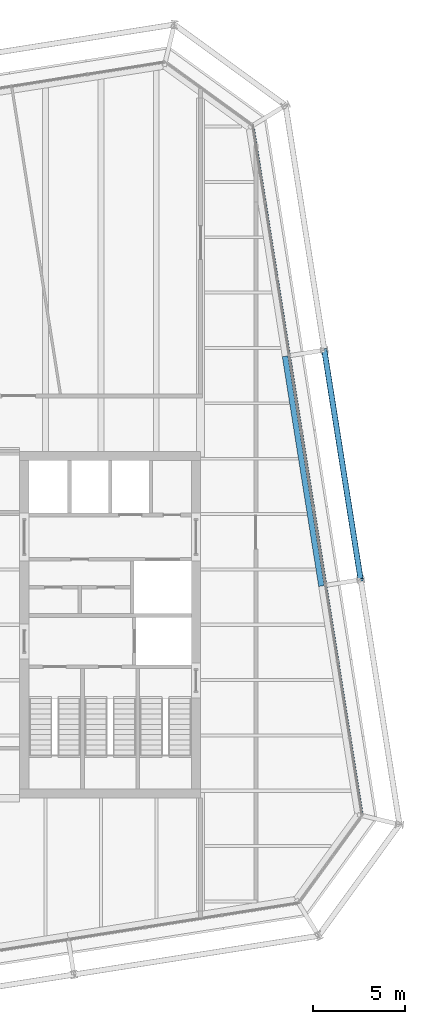
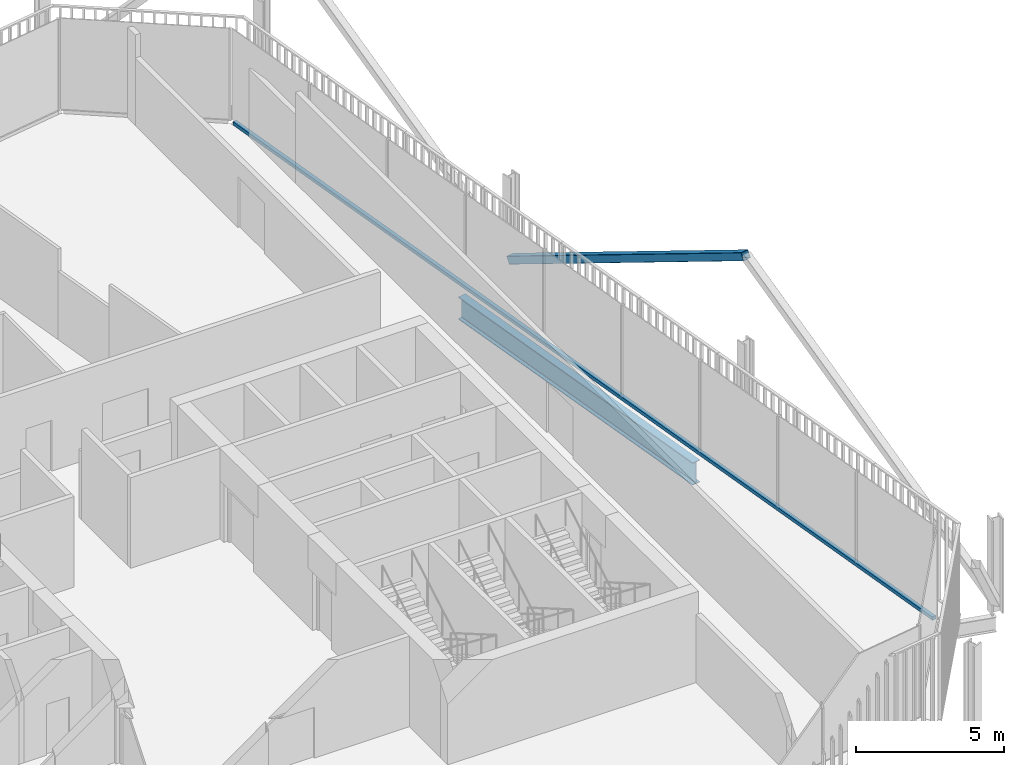
# One storey, part 10 of 21: 2 members, 1 beam, 1 element without a shape of its own.
"""IFC4 building model written with IfcOpenShell, lengths in metres."""

from ifc_helpers import new_model, si_unit, direction, frame, origin, origin_2d, place, context, subcontext, project, spatial, rectangle, hollow_rectangle, i_section, extrude, material, layer, layer_set, material_profile, profile_set, type_object, element, aggregate, save


model = new_model("IFC4")

# Units and contexts
model_context = context("Model", 3, precision=1e-05, world=origin(), true_north=direction((0.0, 1.0)))
body_context = subcontext(model_context, "Body", "Model", "MODEL_VIEW")
ifc_project = project(units=[si_unit("LENGTHUNIT", "METRE"), si_unit("AREAUNIT", "SQUARE_METRE"), si_unit("VOLUMEUNIT", "CUBIC_METRE"), si_unit("PLANEANGLEUNIT", "RADIAN"), si_unit("MASSUNIT", "GRAM", prefix="KILO")], contexts=[model_context])

# Site, building, storey
site_placement = place(None, origin())
site = spatial("IfcSite", under=ifc_project, at=site_placement, CompositionType="ELEMENT")
building_placement = place(site_placement, origin())
building = spatial("IfcBuilding", under=site, at=building_placement, Name="Millrace Tower", CompositionType="ELEMENT")
storey_placement = place(building_placement, frame((0.0, 0.0, 212.5)))
storey = spatial("IfcBuildingStorey", under=building, at=storey_placement, Name="L48", CompositionType="ELEMENT", Elevation=212.5)

# Curtain wall, member
ifc_material_1 = material(Name="Aluminium and glass", Category="aluminium")
ifc_layer = layer(ifc_material_1, 0.14990234375)
ifc_layer_set = layer_set([ifc_layer], Name="Aluminium and glass")
curtain_wall_type = type_object("IfcCurtainWallType", Name="CW-1 office vision curtain wall", PredefinedType="NOTDEFINED", material=ifc_layer_set)
curtain_wall_placement = place(storey_placement, origin())
curtain_wall = element("IfcCurtainWall", 1, at=curtain_wall_placement, inside=storey, type_object=curtain_wall_type, Name="Curtain wall D-F04 L48", PredefinedType="NOTDEFINED")
ifc_material_2 = material(Name="Aluminium", Category="aluminium")
ifc_material_profile_1 = material_profile(ifc_material_2, rectangle(XDim=0.14990234375, YDim=0.139892578125, at=origin_2d()))
ifc_profile_set_1 = profile_set([ifc_material_profile_1], Name="Aluminium")
member_type_1 = type_object("IfcMemberType", Name="CW-1 office vision curtain wall transom", PredefinedType="USERDEFINED", material=ifc_profile_set_1)
member_1_placement = place(storey_placement, frame((23.1318359375, -10.208740234375, 0.070068359375), z_axis=(-0.156432359726, 0.987688674042, 0.0), x_axis=(-0.987688674042, -0.156432359726, 0.0)))
member_1 = element("IfcMember", 2, at=member_1_placement, type_object=member_type_1, Name="CW1 transom D-F04.1", ObjectType="TRANSOM", PredefinedType="USERDEFINED", context=body_context, shape_type="SweptSolid", body=[
    extrude(rectangle(XDim=0.14990234375, YDim=0.139892578125, at=origin_2d()), origin(), (0.0, 0.0, 1.0), 37.599853515625),
])
aggregate(curtain_wall, [member_1])

# Member
ifc_material_3 = material(Name="Steel ASTM A500 Grade C", Category="steel")
ifc_material_profile_2 = material_profile(ifc_material_3, hollow_rectangle(XDim=0.3046875, YDim=0.3046875, WallThickness=0.0126953125, InnerFilletRadius=0.00634765625, OuterFilletRadius=0.01904296875, at=origin_2d()))
ifc_profile_set_2 = profile_set([ifc_material_profile_2], Name="Steel ASTM A500 Grade C")
member_type_2 = type_object("IfcMemberType", Name="Exoskeleton brace HSS12x12x1/2", PredefinedType="BRACE", material=ifc_profile_set_2)
member_2_placement = place(storey_placement, frame((21.106689453125, 14.88330078125, 0.39990234375), z_axis=(0.136740080373, -0.863395126588, 0.485644937998), x_axis=(0.987689802912, 0.156425232058, 0.0)))
element("IfcMember", 3, at=member_2_placement, inside=storey, type_object=member_type_2, Name="BRC-D-L48-07", PredefinedType="BRACE", context=body_context, shape_type="SweptSolid", body=[
    extrude(hollow_rectangle(XDim=0.3046875, YDim=0.3046875, WallThickness=0.0126953125, InnerFilletRadius=0.00634765625, OuterFilletRadius=0.01904296875, at=origin_2d()), origin(), (0.0, 0.0, 1.0), 14.413818359375),
])

# Beam
ifc_material_4 = material(Name="Steel ASTM A992 Grade 50", Category="steel")
ifc_material_profile_3 = material_profile(ifc_material_4, i_section(OverallWidth=0.307373046875, OverallDepth=0.927001953125, WebThickness=0.01953125, FlangeThickness=0.031982421875, FilletRadius=0.01904296875, at=origin_2d()))
ifc_profile_set_3 = profile_set([ifc_material_profile_3], Name="Steel ASTM A992 Grade 50")
beam_type = type_object("IfcBeamType", Name="Ring beam medium span W36x194", PredefinedType="SPANDREL", material=ifc_profile_set_3)
beam_placement = place(storey_placement, frame((18.9794921875, 14.54638671875, -0.62353515625), z_axis=(0.1564441342, -0.987686809102, 0.0), x_axis=(0.987686809102, 0.1564441342, 0.0)))
element("IfcBeam", 4, at=beam_placement, inside=storey, type_object=beam_type, Name="RNG-D-L48-S1-10", PredefinedType="SPANDREL", context=body_context, shape_type="SweptSolid", body=[
    extrude(i_section(OverallWidth=0.307373046875, OverallDepth=0.927001953125, WebThickness=0.01953125, FlangeThickness=0.031982421875, FilletRadius=0.01904296875, at=origin_2d()), origin(), (0.0, 0.0, 1.0), 12.599853515625),
])

save(model, "model.ifc")
